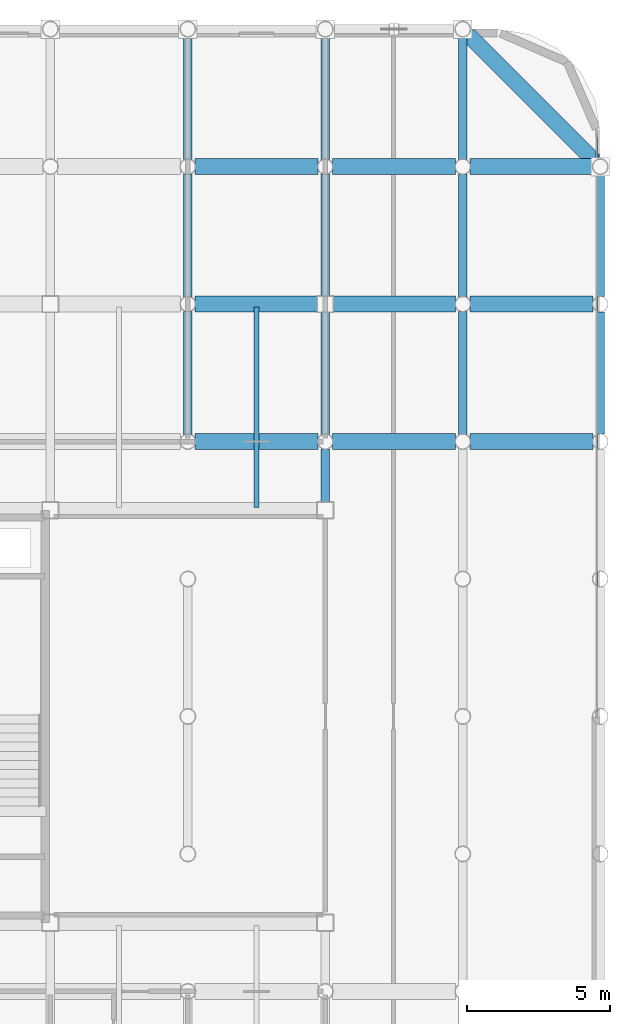
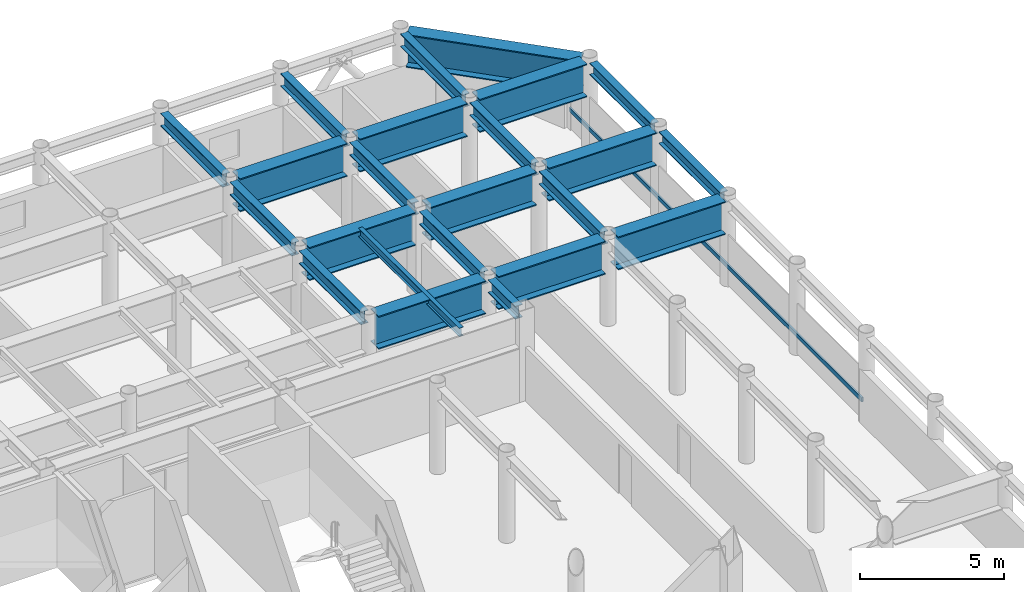
# One storey, part 17 of 26: 23 beams, 1 member, 1 element without a shape of its own.
"""IFC4 building model written with IfcOpenShell, lengths in metres."""

import ifcopenshell
import ifcopenshell.guid

model = None  # the IFC model being written
_history = None  # IfcOwnerHistory: only IFC2X3 demands one
_inside = {}  # id of a spatial element -> (the spatial element, [elements in it])
_under = {}  # id of a project, library or spatial element -> (it, [spatial elements below it])
_declared = {}  # id of a project -> (the project, [libraries it declares])
_typed = {}  # id of a type object -> (the type object, [elements of that type])
_made_of = {}  # id of a material, layer set ... -> (it, [elements and type objects made of it])


def new_model(schema):
    """Start an empty IFC model of exactly this schema.

    Asked for "IFC4X3", IfcOpenShell would pick the latest addendum, in which some entities
    have other attributes; the version numbers below select the first issue.
    IFC2X3 requires an IfcOwnerHistory on every rooted entity: one is made here for all.
    """
    global model, _history
    if schema == "IFC4X3":
        model = ifcopenshell.file(schema_version=(4, 3, 0, 0))
    else:
        model = ifcopenshell.file(schema=schema)
    _inside.clear()
    _under.clear()
    _declared.clear()
    _typed.clear()
    _made_of.clear()
    _history = None
    if model.schema == "IFC2X3":
        org = make("IfcOrganization", Name="unknown")
        user = make(
            "IfcPersonAndOrganization",
            ThePerson=make("IfcPerson", FamilyName="unknown"),
            TheOrganization=org,
        )
        app = make(
            "IfcApplication",
            ApplicationDeveloper=org,
            Version="unknown",
            ApplicationFullName="unknown",
            ApplicationIdentifier="unknown",
        )
        _history = make(
            "IfcOwnerHistory",
            OwningUser=user,
            OwningApplication=app,
            ChangeAction="ADDED",
            CreationDate=0,
        )
    return model


def make(cls, **values):
    """One entity of the class cls with the attributes given. An attribute that is None is left unset."""
    return model.create_entity(
        cls, **{name: value for name, value in values.items() if value is not None}
    )


def rooted(cls, **values):
    """An entity with a GlobalId (a new one), such as an element, a storey or a relation."""
    return make(cls, GlobalId=ifcopenshell.guid.new(), OwnerHistory=_history, **values)


def si_unit(unit_type, name, prefix=None):
    """IfcSIUnit, for example si_unit("LENGTHUNIT", "METRE", prefix="MILLI")."""
    return make("IfcSIUnit", UnitType=unit_type, Prefix=prefix, Name=name)


def assignment(units):
    """IfcUnitAssignment: the units of a project."""
    return None if units is None else make("IfcUnitAssignment", Units=units)


def point(xyz):
    """IfcCartesianPoint."""
    return None if xyz is None else make("IfcCartesianPoint", Coordinates=xyz)


def direction(xyz):
    """IfcDirection."""
    return None if xyz is None else make("IfcDirection", DirectionRatios=xyz)


def frame(location, z_axis=None, x_axis=None):
    """IfcAxis2Placement3D, a coordinate frame: its origin and axes. An axis left out is left unset."""
    return make(
        "IfcAxis2Placement3D",
        Location=point(location),
        Axis=direction(z_axis),
        RefDirection=direction(x_axis),
    )


def frame_2d(location, x_axis=None):
    """IfcAxis2Placement2D, a coordinate frame in the plane: its origin and x axis."""
    return make(
        "IfcAxis2Placement2D", Location=point(location), RefDirection=direction(x_axis)
    )


def origin():
    """The frame at (0, 0, 0) with its axes left unset."""
    return frame((0.0, 0.0, 0.0))


def origin_2d():
    """The frame at (0, 0) in the plane with its x axis left unset."""
    return frame_2d((0.0, 0.0))


def place(relative_to, where):
    """IfcLocalPlacement: puts the frame where relative to a parent placement (None: the world)."""
    return make(
        "IfcLocalPlacement", PlacementRelTo=relative_to, RelativePlacement=where
    )


def context(
    kind, dimensions, precision=None, world=None, true_north=None, identifier=None
):
    """IfcGeometricRepresentationContext, for example the 3D "Model" context."""
    return make(
        "IfcGeometricRepresentationContext",
        ContextIdentifier=identifier,
        ContextType=kind,
        CoordinateSpaceDimension=dimensions,
        Precision=precision,
        WorldCoordinateSystem=world,
        TrueNorth=true_north,
    )


def subcontext(parent, identifier, kind, view, scale=None):
    """IfcGeometricRepresentationSubContext, for example "Body" below "Model"."""
    return make(
        "IfcGeometricRepresentationSubContext",
        ContextIdentifier=identifier,
        ContextType=kind,
        ParentContext=parent,
        TargetScale=scale,
        TargetView=view,
    )


def project(units=None, contexts=None):
    """IfcProject with its units and contexts."""
    return rooted(
        "IfcProject",
        Name="project",
        RepresentationContexts=contexts,
        UnitsInContext=assignment(units),
    )


def spatial(cls, under=None, at=None, **own):
    """A site, building, storey or space (cls), placed at a placement, below another one or the project."""
    s = rooted(cls, ObjectPlacement=at, **own)
    if under is not None:
        _under.setdefault(under.id(), (under, []))[1].append(s)
    return s


def profile(cls, at=None, kind="AREA", **sizes):
    """A parametric profile (cls). Its sizes go by their IFC names, for example OverallWidth=200.0."""
    return make(cls, ProfileType=kind, Position=at, **sizes)


def hollow_rectangle(**sizes):
    """IfcRectangleHollowProfileDef."""
    return profile("IfcRectangleHollowProfileDef", **sizes)


def i_section(**sizes):
    """IfcIShapeProfileDef."""
    return profile("IfcIShapeProfileDef", **sizes)


def extrude(swept, where, along, depth):
    """IfcExtrudedAreaSolid: the profile swept, set in the frame where, extruded along a direction by depth."""
    return make(
        "IfcExtrudedAreaSolid",
        SweptArea=swept,
        Position=where,
        ExtrudedDirection=direction(along),
        Depth=depth,
    )


def shape(context_of_items, identifier, shape_type, items):
    """IfcShapeRepresentation: the items that make up one representation, for example the "Body"."""
    return make(
        "IfcShapeRepresentation",
        ContextOfItems=context_of_items,
        RepresentationIdentifier=identifier,
        RepresentationType=shape_type,
        Items=items,
    )


def material(Name=None, Category=None):
    """IfcMaterial."""
    return make("IfcMaterial", Name=Name, Category=Category)


def layer(
    of_material, thickness, ventilated=None, Name=None, Category=None, Priority=None
):
    """IfcMaterialLayer: one layer of a wall or slab, of a material (None: an air gap)."""
    return make(
        "IfcMaterialLayer",
        Material=of_material,
        LayerThickness=thickness,
        IsVentilated=ventilated,
        Name=Name,
        Category=Category,
        Priority=Priority,
    )


def layer_set(layers, Name=None):
    """IfcMaterialLayerSet."""
    return make("IfcMaterialLayerSet", MaterialLayers=layers, LayerSetName=Name)


def material_profile(
    of_material, cross_section, Name=None, Category=None, Priority=None
):
    """IfcMaterialProfile: a cross section and its material."""
    return make(
        "IfcMaterialProfile",
        Name=Name,
        Material=of_material,
        Profile=cross_section,
        Priority=Priority,
        Category=Category,
    )


def profile_set(profiles, Name=None, composite=None):
    """IfcMaterialProfileSet."""
    return make(
        "IfcMaterialProfileSet",
        Name=Name,
        MaterialProfiles=profiles,
        CompositeProfile=composite,
    )


def made_of(thing, what):
    """Note that an element or type object is made of a material, layer set ...; save() writes the relation."""
    if what is not None:
        _made_of.setdefault(what.id(), (what, []))[1].append(thing)
    return thing


def type_object(cls, material=None, **own):
    """A type object (cls), such as IfcWallType, which elements share."""
    return made_of(rooted(cls, **own), material)


def element(
    cls,
    number,
    at=None,
    inside=None,
    cuts=None,
    type_object=None,
    material=None,
    context=None,
    identifier="Body",
    shape_type=None,
    held_by="IfcProductDefinitionShape",
    body=None,
    shapes=None,
    **own,
):
    """One element of the class cls, such as IfcWall. Its Tag is "e" and its number.

    at: its placement. inside: the storey or other place that contains it. cuts: it is an
    opening in that element (IfcRelVoidsElement). A single representation is given by context,
    identifier, shape_type and body (its items); several are given by shapes. held_by: the class
    of the entity that holds the representations. save() writes the other relations.
    """
    e = rooted(cls, Tag="e%d" % number, ObjectPlacement=at, **own)
    if body is not None:
        shapes = [shape(context, identifier, shape_type, body)]
    if shapes is not None:
        e.Representation = make(held_by, Representations=shapes)
    if inside is not None:
        _inside.setdefault(inside.id(), (inside, []))[1].append(e)
    if cuts is not None:
        rooted(
            "IfcRelVoidsElement", RelatingBuildingElement=cuts, RelatedOpeningElement=e
        )
    if type_object is not None:
        _typed.setdefault(type_object.id(), (type_object, []))[1].append(e)
    return made_of(e, material)


def aggregate(whole, parts):
    """IfcRelAggregates: a whole, such as a stair, and the parts it consists of."""
    return rooted("IfcRelAggregates", RelatingObject=whole, RelatedObjects=parts)


def save(model, path):
    """Write the relations noted so far, then the file.

    IfcRelAggregates (storeys below a building ...), IfcRelContainedInSpatialStructure (elements
    in a storey), IfcRelDefinesByType, IfcRelAssociatesMaterial and IfcRelDeclares: one each for
    every whole, place, type object, material and project.
    """
    for whole, parts in _under.values():
        aggregate(whole, parts)
    for where, things in _inside.values():
        rooted(
            "IfcRelContainedInSpatialStructure",
            RelatedElements=things,
            RelatingStructure=where,
        )
    for kind, things in _typed.values():
        rooted("IfcRelDefinesByType", RelatedObjects=things, RelatingType=kind)
    for what, things in _made_of.values():
        rooted("IfcRelAssociatesMaterial", RelatedObjects=things, RelatingMaterial=what)
    for by, libraries in _declared.values():
        rooted("IfcRelDeclares", RelatingContext=by, RelatedDefinitions=libraries)
    model.write(path)


model = new_model("IFC4")

# Units and contexts
model_context = context("Model", 3, precision=1e-05, world=origin(), true_north=direction((0.0, 1.0)))
body_context = subcontext(model_context, "Body", "Model", "MODEL_VIEW")
ifc_project = project(units=[si_unit("LENGTHUNIT", "METRE"), si_unit("AREAUNIT", "SQUARE_METRE"), si_unit("VOLUMEUNIT", "CUBIC_METRE"), si_unit("PLANEANGLEUNIT", "RADIAN"), si_unit("MASSUNIT", "GRAM", prefix="KILO")], contexts=[model_context])

# Site, building, storey
site_placement = place(None, origin())
site = spatial("IfcSite", under=ifc_project, at=site_placement, CompositionType="ELEMENT")
building_placement = place(site_placement, origin())
building = spatial("IfcBuilding", under=site, at=building_placement, Name="Kallvorn Hotel Tower", CompositionType="ELEMENT")
storey_placement = place(building_placement, frame((0.0, 0.0, 222.300048828125)))
storey = spatial("IfcBuildingStorey", under=building, at=storey_placement, Name="L55", CompositionType="ELEMENT", Elevation=222.300048828125)

# Beams
ifc_material_1 = material(Name="Structural steel S355JR", Category="steel")
ifc_material_profile_1 = material_profile(ifc_material_1, i_section(OverallWidth=0.300048828125, OverallDepth=0.5, WebThickness=0.014404296875, FlangeThickness=0.028076171875, at=origin_2d()), Name="HE 500 B")
ifc_profile_set_1 = profile_set([ifc_material_profile_1], Name="Structural steel S355JR")
beam_type_1 = type_object("IfcBeamType", Name="BM_HE500B", PredefinedType="SPANDREL", material=ifc_profile_set_1)
beam_1_placement = place(storey_placement, frame((33.60009765625, 9.869384765625, 3.419921875), z_axis=(0.0, 1.0, 0.0), x_axis=(-1.0, 0.0, 0.0)))
element("IfcBeam", 1, at=beam_1_placement, inside=storey, type_object=beam_type_1, Name="L56 Perimeter Spandrel 187", PredefinedType="SPANDREL", context=body_context, shape_type="SweptSolid", body=[
    extrude(i_section(OverallWidth=0.300048828125, OverallDepth=0.5, WebThickness=0.014404296875, FlangeThickness=0.028076171875, at=origin_2d()), origin(), (0.0, 0.0, 1.0), 4.26123046875),
])
beam_2_placement = place(storey_placement, frame((33.60009765625, 14.66943359375, 3.419921875), z_axis=(0.0, 1.0, 0.0), x_axis=(-1.0, 0.0, 0.0)))
element("IfcBeam", 2, at=beam_2_placement, inside=storey, type_object=beam_type_1, Name="L56 Perimeter Spandrel 188", PredefinedType="SPANDREL", context=body_context, shape_type="SweptSolid", body=[
    extrude(i_section(OverallWidth=0.300048828125, OverallDepth=0.5, WebThickness=0.014404296875, FlangeThickness=0.028076171875, at=origin_2d()), origin(), (0.0, 0.0, 1.0), 4.260986328125),
])
ifc_material_2 = material(Name="Structural steel S355JR", Category="steel")
ifc_material_profile_2 = material_profile(ifc_material_2, i_section(OverallWidth=0.300048828125, OverallDepth=0.550048828125, WebThickness=0.014892578125, FlangeThickness=0.029052734375, at=origin_2d()), Name="HE 550 B")
ifc_profile_set_2 = profile_set([ifc_material_profile_2], Name="Structural steel S355JR")
beam_type_2 = type_object("IfcBeamType", Name="BM_HE550B", PredefinedType="SPANDREL", material=ifc_profile_set_2)
for number, where, z_axis, x_axis, name in (
    (3, (19.199951171875, 9.8544921875, 3.39501953125), (0.0, 1.0, 0.0), (-1.0, 0.0, 0.0), "L56 Primary Y-Girder 132"),
    (4, (19.199951171875, 14.654541015625, 3.39501953125), (0.0, 1.0, 0.0), (-1.0, 0.0, 0.0), "L56 Primary Y-Girder 133"),
    (5, (19.199951171875, 19.45458984375, 3.39501953125), (0.0, 1.0, 0.0), (-1.0, 0.0, 0.0), "L56 Primary Y-Girder 134"),
):
    element("IfcBeam", number, at=place(storey_placement, frame(where, z_axis=z_axis, x_axis=x_axis)), inside=storey, type_object=beam_type_2, Name=name, PredefinedType="SPANDREL", context=body_context, shape_type="SweptSolid", body=[
        extrude(i_section(OverallWidth=0.300048828125, OverallDepth=0.550048828125, WebThickness=0.014892578125, FlangeThickness=0.029052734375, at=origin_2d()), origin(), (0.0, 0.0, 1.0), 4.291015625),
    ])
beam_3_placement = place(storey_placement, frame((24.0, 7.47509765625, 3.39501953125), z_axis=(0.0, 1.0, 0.0), x_axis=(-1.0, 0.0, 0.0)))
element("IfcBeam", 6, at=beam_3_placement, inside=storey, type_object=beam_type_2, Name="L56 Primary Y-Girder 138", PredefinedType="SPANDREL", context=body_context, shape_type="SweptSolid", body=[
    extrude(i_section(OverallWidth=0.300048828125, OverallDepth=0.550048828125, WebThickness=0.014892578125, FlangeThickness=0.029052734375, at=origin_2d()), origin(), (0.0, 0.0, 1.0), 1.870361328125),
])
for number, where, z_axis, x_axis, name in (
    (7, (24.0, 9.8544921875, 3.39501953125), (0.0, 1.0, 0.0), (-1.0, 0.0, 0.0), "L56 Primary Y-Girder 139"),
    (8, (24.0, 14.675048828125, 3.39501953125), (0.0, 1.0, 0.0), (-1.0, 0.0, 0.0), "L56 Primary Y-Girder 140"),
):
    element("IfcBeam", number, at=place(storey_placement, frame(where, z_axis=z_axis, x_axis=x_axis)), inside=storey, type_object=beam_type_2, Name=name, PredefinedType="SPANDREL", context=body_context, shape_type="SweptSolid", body=[
        extrude(i_section(OverallWidth=0.300048828125, OverallDepth=0.550048828125, WebThickness=0.014892578125, FlangeThickness=0.029052734375, at=origin_2d()), origin(), (0.0, 0.0, 1.0), 4.2705078125),
    ])
for number, where, z_axis, x_axis, name in (
    (9, (24.0, 19.45458984375, 3.39501953125), (0.0, 1.0, 0.0), (-1.0, 0.0, 0.0), "L56 Primary Y-Girder 141"),
    (10, (28.800048828125, 9.8544921875, 3.39501953125), (0.0, 1.0, 0.0), (-1.0, 0.0, 0.0), "L56 Primary Y-Girder 148"),
    (11, (28.800048828125, 14.654541015625, 3.39501953125), (0.0, 1.0, 0.0), (-1.0, 0.0, 0.0), "L56 Primary Y-Girder 149"),
    (12, (28.800048828125, 19.45458984375, 3.39501953125), (0.0, 1.0, 0.0), (-1.0, 0.0, 0.0), "L56 Primary Y-Girder 150"),
):
    element("IfcBeam", number, at=place(storey_placement, frame(where, z_axis=z_axis, x_axis=x_axis)), inside=storey, type_object=beam_type_2, Name=name, PredefinedType="SPANDREL", context=body_context, shape_type="SweptSolid", body=[
        extrude(i_section(OverallWidth=0.300048828125, OverallDepth=0.550048828125, WebThickness=0.014892578125, FlangeThickness=0.029052734375, at=origin_2d()), origin(), (0.0, 0.0, 1.0), 4.291015625),
    ])
ifc_material_3 = material(Name="Structural steel S355JR", Category="steel")
ifc_material_profile_3 = material_profile(ifc_material_3, i_section(OverallWidth=0.169921875, OverallDepth=0.360107421875, WebThickness=0.008056640625, FlangeThickness=0.0126953125, at=origin_2d()), Name="IPE 360")
ifc_profile_set_3 = profile_set([ifc_material_profile_3], Name="Structural steel S355JR")
beam_type_3 = type_object("IfcBeamType", Name="BM_IPE360", PredefinedType="JOIST", material=ifc_profile_set_3)
beam_4_placement = place(storey_placement, frame((21.60009765625, 7.300048828125, 3.489990234375), z_axis=(0.0, 1.0, 0.0), x_axis=(-1.0, 0.0, 0.0)))
element("IfcBeam", 13, at=beam_4_placement, inside=storey, type_object=beam_type_3, Name="L56 Secondary Composite Joist 209", PredefinedType="JOIST", context=body_context, shape_type="SweptSolid", body=[
    extrude(i_section(OverallWidth=0.169921875, OverallDepth=0.360107421875, WebThickness=0.008056640625, FlangeThickness=0.0126953125, at=origin_2d()), origin(), (0.0, 0.0, 1.0), 7.0),
])
ifc_material_4 = material(Name="Structural steel S355JR", Category="steel")
ifc_material_profile_4 = material_profile(ifc_material_4, i_section(OverallWidth=0.550048828125, OverallDepth=1.39990234375, WebThickness=0.02490234375, FlangeThickness=0.044921875, at=origin_2d()), Name="PG 1400x550x25x45")
ifc_profile_set_4 = profile_set([ifc_material_profile_4], Name="Structural steel S355JR")
beam_type_4 = type_object("IfcBeamType", Name="BM_PG_1400", PredefinedType="BEAM", material=ifc_profile_set_4)
for number, where, z_axis, x_axis, name in (
    (14, (19.45458984375, 9.60009765625, 2.969970703125), (1.0, 0.0, 0.0), (0.0, 1.0, 0.0), "L56 Primary X-Girder 47"),
    (15, (24.25439453125, 9.60009765625, 2.969970703125), (1.0, 0.0, 0.0), (0.0, 1.0, 0.0), "L56 Primary X-Girder 48"),
    (16, (29.054443359375, 9.60009765625, 2.969970703125), (1.0, 0.0, 0.0), (0.0, 1.0, 0.0), "L56 Primary X-Girder 49"),
):
    element("IfcBeam", number, at=place(storey_placement, frame(where, z_axis=z_axis, x_axis=x_axis)), inside=storey, type_object=beam_type_4, Name=name, PredefinedType="BEAM", context=body_context, shape_type="SweptSolid", body=[
        extrude(i_section(OverallWidth=0.550048828125, OverallDepth=1.39990234375, WebThickness=0.02490234375, FlangeThickness=0.044921875, at=origin_2d()), origin(), (0.0, 0.0, 1.0), 4.291015625),
    ])
for number, where, z_axis, x_axis, name in (
    (17, (19.45458984375, 14.39990234375, 2.969970703125), (1.0, 0.0, 0.0), (0.0, 1.0, 0.0), "L56 Primary X-Girder 57"),
    (18, (24.27490234375, 14.39990234375, 2.969970703125), (1.0, 0.0, 0.0), (0.0, 1.0, 0.0), "L56 Primary X-Girder 58"),
):
    element("IfcBeam", number, at=place(storey_placement, frame(where, z_axis=z_axis, x_axis=x_axis)), inside=storey, type_object=beam_type_4, Name=name, PredefinedType="BEAM", context=body_context, shape_type="SweptSolid", body=[
        extrude(i_section(OverallWidth=0.550048828125, OverallDepth=1.39990234375, WebThickness=0.02490234375, FlangeThickness=0.044921875, at=origin_2d()), origin(), (0.0, 0.0, 1.0), 4.2705078125),
    ])
for number, where, z_axis, x_axis, name in (
    (19, (29.054443359375, 14.39990234375, 2.969970703125), (1.0, 0.0, 0.0), (0.0, 1.0, 0.0), "L56 Primary X-Girder 59"),
    (20, (19.45458984375, 19.199951171875, 2.969970703125), (1.0, 0.0, 0.0), (0.0, 1.0, 0.0), "L56 Primary X-Girder 70"),
    (21, (24.25439453125, 19.199951171875, 2.969970703125), (1.0, 0.0, 0.0), (0.0, 1.0, 0.0), "L56 Primary X-Girder 71"),
    (22, (29.054443359375, 19.199951171875, 2.969970703125), (1.0, 0.0, 0.0), (0.0, 1.0, 0.0), "L56 Primary X-Girder 72"),
):
    element("IfcBeam", number, at=place(storey_placement, frame(where, z_axis=z_axis, x_axis=x_axis)), inside=storey, type_object=beam_type_4, Name=name, PredefinedType="BEAM", context=body_context, shape_type="SweptSolid", body=[
        extrude(i_section(OverallWidth=0.550048828125, OverallDepth=1.39990234375, WebThickness=0.02490234375, FlangeThickness=0.044921875, at=origin_2d()), origin(), (0.0, 0.0, 1.0), 4.291015625),
    ])
beam_5_placement = place(storey_placement, frame((33.409423828125, 19.390625, 2.969970703125), z_axis=(-0.707126314793, 0.707087247041, 0.0), x_axis=(-0.707087247041, -0.707126314793, 0.0)))
element("IfcBeam", 23, at=beam_5_placement, inside=storey, type_object=beam_type_4, Name="L56 Rounded Corner Tie Beam 191", PredefinedType="BEAM", context=body_context, shape_type="SweptSolid", body=[
    extrude(i_section(OverallWidth=0.550048828125, OverallDepth=1.39990234375, WebThickness=0.02490234375, FlangeThickness=0.044921875, at=origin_2d()), origin(), (0.0, 0.0, 1.0), 6.249267578125),
])

# Curtain wall, member
ifc_material_5 = material(Name="Thermally broken black-anodised aluminium AA 6063-T6", Category="aluminium")
ifc_layer = layer(ifc_material_5, 0.22998046875)
ifc_layer_set = layer_set([ifc_layer], Name="CW_SYS_5_HOTEL_HIGH")
curtain_wall_type = type_object("IfcCurtainWallType", Name="CW_SYS_5_HOTEL_HIGH", PredefinedType="USERDEFINED", material=ifc_layer_set)
curtain_wall_placement = place(storey_placement, origin())
curtain_wall = element("IfcCurtainWall", 24, at=curtain_wall_placement, inside=storey, type_object=curtain_wall_type, Name="L55 Dark-Glass Curtain Wall CW-L55-EN", ObjectType="UNITISED CURTAIN WALL", PredefinedType="USERDEFINED")
ifc_material_6 = material(Name="Thermally broken black-anodised aluminium AA 6063-T6", Category="aluminium")
ifc_material_profile_5 = material_profile(ifc_material_6, hollow_rectangle(XDim=0.070068359375, YDim=0.179931640625, WallThickness=0.00390625, at=origin_2d()), Name="TRN 180x70")
ifc_profile_set_5 = profile_set([ifc_material_profile_5], Name="Thermally broken black-anodised aluminium AA 6063-T6")
member_type = type_object("IfcMemberType", Name="CW_TRANSOM_180x70", PredefinedType="USERDEFINED", material=ifc_profile_set_5)
member_placement = place(storey_placement, frame((33.47998046875, 0.06005859375, 0.849853515625), z_axis=(0.0, 1.0, 0.0), x_axis=(-1.0, 0.0, 0.0)))
member = element("IfcMember", 25, at=member_placement, type_object=member_type, Name="CW-L55-EN Transom 00M", ObjectType="TRANSOM", PredefinedType="USERDEFINED", context=body_context, shape_type="SweptSolid", body=[
    extrude(hollow_rectangle(XDim=0.070068359375, YDim=0.179931640625, WallThickness=0.00390625, at=origin_2d()), origin(), (0.0, 0.0, 1.0), 20.300048828125),
])
aggregate(curtain_wall, [member])

save(model, "model.ifc")
